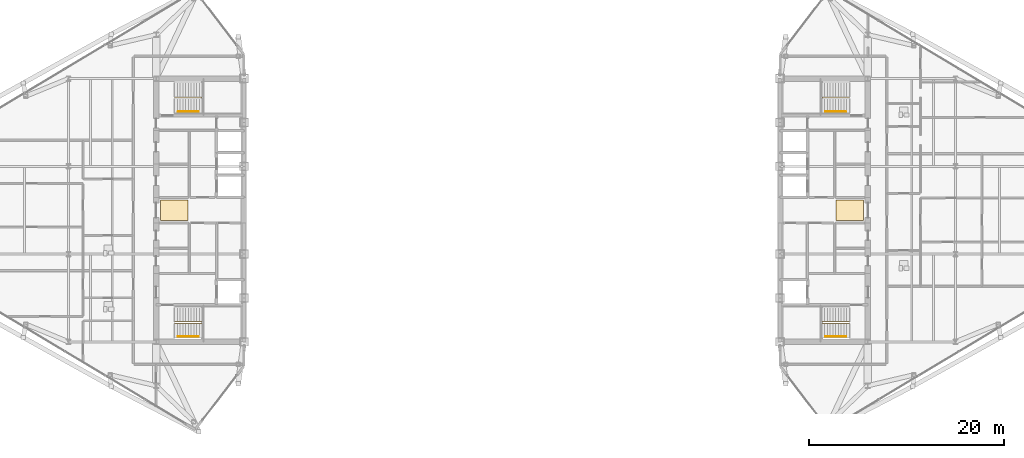
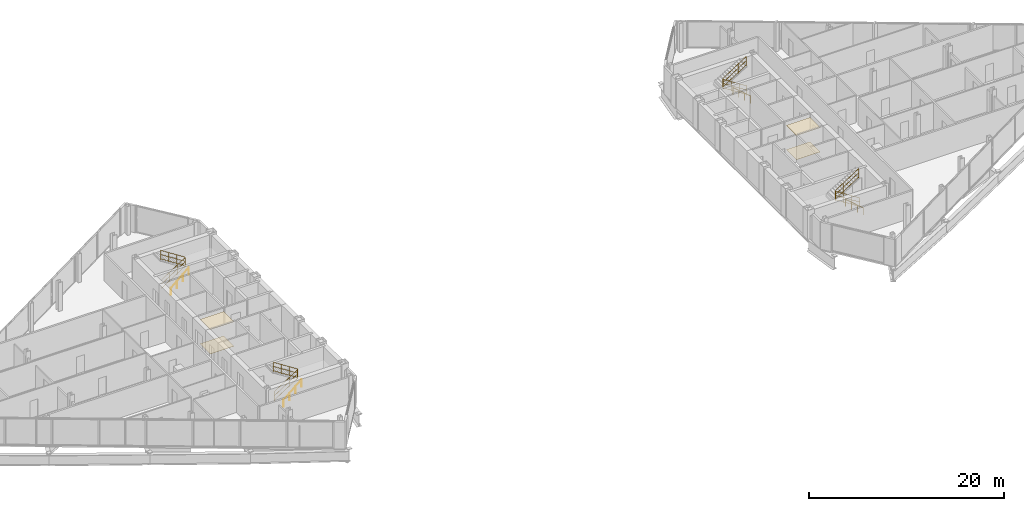
# One storey, part 28 of 29: 8 railings, 4 coverings.
"""IFC4 building model written with IfcOpenShell, lengths in metres."""

from ifc_helpers import new_model, si_unit, direction, frame, origin, origin_2d, place, context, subcontext, project, spatial, polyline, circle, outline, extrude, material, layer, layer_set, type_object, element, save


model = new_model("IFC4")

# Units and contexts
model_context = context("Model", 3, precision=1e-05, world=origin(), true_north=direction((0.0, 1.0)))
body_context = subcontext(model_context, "Body", "Model", "MODEL_VIEW")
ifc_project = project(units=[si_unit("LENGTHUNIT", "METRE"), si_unit("AREAUNIT", "SQUARE_METRE"), si_unit("VOLUMEUNIT", "CUBIC_METRE"), si_unit("PLANEANGLEUNIT", "RADIAN"), si_unit("MASSUNIT", "GRAM", prefix="KILO")], contexts=[model_context])

# Site, building, storey
site_placement = place(None, origin())
site = spatial("IfcSite", under=ifc_project, at=site_placement, CompositionType="ELEMENT")
building_placement = place(site_placement, origin())
building = spatial("IfcBuilding", under=site, at=building_placement, Name="Seokmaru Belvedere", CompositionType="ELEMENT")
storey_placement = place(building_placement, frame((0.0, 0.0, 195.89990234375)))
storey = spatial("IfcBuildingStorey", under=building, at=storey_placement, Name="L52", CompositionType="ELEMENT", Elevation=195.89990234375)

# Coverings
ifc_material_1 = material(Name="Engineered White Oak Timber", Category="wood")
ifc_layer_1 = layer(ifc_material_1, 0.02197265625)
ifc_layer_set_1 = layer_set([ifc_layer_1], Name="Engineered White Oak Timber")
covering_type_1 = type_object("IfcCoveringType", Name="Engineered Oak Residence Floor Finish 22", PredefinedType="FLOORING", material=ifc_layer_set_1)
covering_1_placement = place(storey_placement, origin())
element("IfcCovering", 1, at=covering_1_placement, inside=storey, type_object=covering_type_1, Name="L52 W Foyer Floor Finish", PredefinedType="FLOORING", context=body_context, shape_type="SweptSolid", body=[
    extrude(outline(polyline([(-36.050048828125, -1.050048828125), (-33.25, -1.050048828125), (-33.25, 1.050048828125), (-36.050048828125, 1.050048828125), (-36.050048828125, -1.050048828125)])), origin(), (0.0, 0.0, 1.0), 0.022216796875),
])
covering_2_placement = place(storey_placement, origin())
element("IfcCovering", 2, at=covering_2_placement, inside=storey, type_object=covering_type_1, Name="L52 E Foyer Floor Finish", PredefinedType="FLOORING", context=body_context, shape_type="SweptSolid", body=[
    extrude(outline(polyline([(33.25, -1.050048828125), (36.050048828125, -1.050048828125), (36.050048828125, 1.050048828125), (33.25, 1.050048828125), (33.25, -1.050048828125)])), origin(), (0.0, 0.0, 1.0), 0.022216796875),
])
ifc_material_2 = material(Name="Fire-Rated Gypsum Shaftwall")
ifc_layer_2 = layer(ifc_material_2, 0.02490234375)
ifc_layer_set_2 = layer_set([ifc_layer_2], Name="Fire-Rated Gypsum Shaftwall")
covering_type_2 = type_object("IfcCoveringType", Name="Perforated Acoustic Gypsum Suspended Ceiling 25", PredefinedType="CEILING", material=ifc_layer_set_2)
covering_3_placement = place(storey_placement, frame((0.0, 0.0, 3.030029296875)))
element("IfcCovering", 3, at=covering_3_placement, inside=storey, type_object=covering_type_2, Name="L52 W Lift Foyer Acoustic Ceiling", PredefinedType="CEILING", context=body_context, shape_type="SweptSolid", body=[
    extrude(outline(polyline([(-36.050048828125, -1.050048828125), (-33.25, -1.050048828125), (-33.25, 1.050048828125), (-36.050048828125, 1.050048828125), (-36.050048828125, -1.050048828125)])), origin(), (0.0, 0.0, 1.0), 0.025146484375),
])
covering_4_placement = place(storey_placement, frame((0.0, 0.0, 3.030029296875)))
element("IfcCovering", 4, at=covering_4_placement, inside=storey, type_object=covering_type_2, Name="L52 E Lift Foyer Acoustic Ceiling", PredefinedType="CEILING", context=body_context, shape_type="SweptSolid", body=[
    extrude(outline(polyline([(33.25, -1.050048828125), (36.050048828125, -1.050048828125), (36.050048828125, 1.050048828125), (33.25, 1.050048828125), (33.25, -1.050048828125)])), origin(), (0.0, 0.0, 1.0), 0.025146484375),
])

# Railings
ifc_material_3 = material(Name="Stainless Steel 316", Category="steel")
railing_type_1 = type_object("IfcRailingType", Name="Stainless Steel Wall and Flight Handrail 900", PredefinedType="HANDRAIL", material=ifc_material_3)
for number, where, name in (
    (5, (-34.25, -12.949951171875, 0.0), "L52 Stair ST-W1 Wall Handrail"),
    (6, (-34.25, 10.110107421875, 0.0), "L52 Stair ST-W2 Wall Handrail"),
):
    element("IfcRailing", number, at=place(storey_placement, frame(where)), inside=storey, type_object=railing_type_1, Name=name, PredefinedType="HANDRAIL", context=body_context, shape_type="SweptSolid", body=[
        extrude(circle(Radius=0.02392578125, at=origin_2d()), frame((0.0, 0.0, 0.8759765625), z_axis=(0.759262832861, 0.0, 0.650784104474), x_axis=(0.0, 1.0, 0.0)), (0.0, 0.0, 1.0), 2.765869140625),
        extrude(circle(Radius=0.02099609375, at=origin_2d()), origin(), (0.0, 0.0, 1.0), 0.851806640625),
        extrude(circle(Radius=0.02099609375, at=origin_2d()), frame((0.699951171875, 0.0, 0.60009765625)), (0.0, 0.0, 1.0), 0.851806640625),
        extrude(circle(Radius=0.02099609375, at=origin_2d()), frame((1.400146484375, 0.0, 1.199951171875)), (0.0, 0.0, 1.0), 0.851806640625),
        extrude(circle(Radius=0.02099609375, at=origin_2d()), frame((2.10009765625, 0.0, 1.800048828125)), (0.0, 0.0, 1.0), 0.851806640625),
    ])
for number, where, name in (
    (7, (34.25, -12.949951171875, 0.0), "L52 Stair ST-E1 Wall Handrail"),
    (8, (34.25, 10.110107421875, 0.0), "L52 Stair ST-E2 Wall Handrail"),
):
    element("IfcRailing", number, at=place(storey_placement, frame(where)), inside=storey, type_object=railing_type_1, Name=name, PredefinedType="HANDRAIL", context=body_context, shape_type="SweptSolid", body=[
        extrude(circle(Radius=0.02392578125, at=origin_2d()), frame((0.0, 0.0, 0.8759765625), z_axis=(-0.759262832861, 0.0, 0.650784104474), x_axis=(0.0, -1.0, 0.0)), (0.0, 0.0, 1.0), 2.765869140625),
        extrude(circle(Radius=0.02099609375, at=origin_2d()), origin(), (0.0, 0.0, 1.0), 0.851806640625),
        extrude(circle(Radius=0.02099609375, at=origin_2d()), frame((-0.699951171875, 0.0, 0.60009765625)), (0.0, 0.0, 1.0), 0.851806640625),
        extrude(circle(Radius=0.02099609375, at=origin_2d()), frame((-1.400146484375, 0.0, 1.199951171875)), (0.0, 0.0, 1.0), 0.851806640625),
        extrude(circle(Radius=0.02099609375, at=origin_2d()), frame((-2.10009765625, 0.0, 1.800048828125)), (0.0, 0.0, 1.0), 0.851806640625),
    ])
railing_type_2 = type_object("IfcRailingType", Name="Stair Well and Atrium Steel Guardrail 1200", PredefinedType="GUARDRAIL", material=ifc_material_3)
railing_1_placement = place(storey_placement, frame((-34.60009765625, -11.60009765625, 0.0)))
element("IfcRailing", 9, at=railing_1_placement, inside=storey, type_object=railing_type_2, Name="L52 Stair ST-W1 Inner Well Guardrail", PredefinedType="GUARDRAIL", context=body_context, shape_type="SweptSolid", body=[
    extrude(circle(Radius=0.02392578125, at=origin_2d()), frame((0.0, 0.0, 1.17578125), z_axis=(0.841176092368, 0.0, 0.540761298198), x_axis=(0.0, 1.0, 0.0)), (0.0, 0.0, 1.0), 3.32861328125),
    extrude(circle(Radius=0.02392578125, at=origin_2d()), frame((0.0, 0.0, 0.1201171875), z_axis=(0.841176092368, 0.0, 0.540761298198), x_axis=(0.0, 1.0, 0.0)), (0.0, 0.0, 1.0), 3.32861328125),
    extrude(circle(Radius=0.02392578125, at=origin_2d()), frame((0.0, 0.0, 0.659912109375), z_axis=(0.841176092368, 0.0, 0.540761298198), x_axis=(0.0, 1.0, 0.0)), (0.0, 0.0, 1.0), 3.32861328125),
    extrude(circle(Radius=0.02392578125, at=origin_2d()), frame((2.800048828125, 0.0, 2.97607421875), z_axis=(0.0, 1.0, 0.0), x_axis=(-1.0, 0.0, 0.0)), (0.0, 0.0, 1.0), 0.14013671875),
    extrude(circle(Radius=0.02392578125, at=origin_2d()), frame((2.800048828125, 0.0, 1.920166015625), z_axis=(0.0, 1.0, 0.0), x_axis=(-1.0, 0.0, 0.0)), (0.0, 0.0, 1.0), 0.14013671875),
    extrude(circle(Radius=0.02392578125, at=origin_2d()), frame((2.800048828125, 0.0, 2.4599609375), z_axis=(0.0, 1.0, 0.0), x_axis=(-1.0, 0.0, 0.0)), (0.0, 0.0, 1.0), 0.14013671875),
    extrude(circle(Radius=0.02392578125, at=origin_2d()), frame((2.800048828125, 0.14013671875, 2.97607421875), z_axis=(-0.841176092368, 0.0, 0.540761298198), x_axis=(0.0, -1.0, 0.0)), (0.0, 0.0, 1.0), 3.32861328125),
    extrude(circle(Radius=0.02392578125, at=origin_2d()), frame((2.800048828125, 0.14013671875, 1.920166015625), z_axis=(-0.841176092368, 0.0, 0.540761298198), x_axis=(0.0, -1.0, 0.0)), (0.0, 0.0, 1.0), 3.32861328125),
    extrude(circle(Radius=0.02392578125, at=origin_2d()), frame((2.800048828125, 0.14013671875, 2.4599609375), z_axis=(-0.841176092368, 0.0, 0.540761298198), x_axis=(0.0, -1.0, 0.0)), (0.0, 0.0, 1.0), 3.32861328125),
    extrude(circle(Radius=0.02099609375, at=origin_2d()), origin(), (0.0, 0.0, 1.0), 1.15185546875),
    extrude(circle(Radius=0.02099609375, at=origin_2d()), frame((0.933349609375, 0.0, 0.60009765625)), (0.0, 0.0, 1.0), 1.15185546875),
    extrude(circle(Radius=0.02099609375, at=origin_2d()), frame((1.86669921875, 0.0, 1.199951171875)), (0.0, 0.0, 1.0), 1.15185546875),
    extrude(circle(Radius=0.02099609375, at=origin_2d()), frame((2.800048828125, 0.0, 1.800048828125)), (0.0, 0.0, 1.0), 1.15185546875),
    extrude(circle(Radius=0.02099609375, at=origin_2d()), frame((2.800048828125, 0.14013671875, 1.800048828125)), (0.0, 0.0, 1.0), 1.15185546875),
    extrude(circle(Radius=0.02099609375, at=origin_2d()), frame((1.86669921875, 0.14013671875, 2.400146484375)), (0.0, 0.0, 1.0), 1.15185546875),
    extrude(circle(Radius=0.02099609375, at=origin_2d()), frame((0.933349609375, 0.14013671875, 3.0)), (0.0, 0.0, 1.0), 1.15185546875),
    extrude(circle(Radius=0.02099609375, at=origin_2d()), frame((0.0, 0.14013671875, 3.60009765625)), (0.0, 0.0, 1.0), 1.15185546875),
])
railing_2_placement = place(storey_placement, frame((-34.60009765625, 11.4599609375, 0.0)))
element("IfcRailing", 10, at=railing_2_placement, inside=storey, type_object=railing_type_2, Name="L52 Stair ST-W2 Inner Well Guardrail", PredefinedType="GUARDRAIL", context=body_context, shape_type="SweptSolid", body=[
    extrude(circle(Radius=0.02392578125, at=origin_2d()), frame((0.0, 0.0, 1.17578125), z_axis=(0.841176092368, 0.0, 0.540761298198), x_axis=(0.0, 1.0, 0.0)), (0.0, 0.0, 1.0), 3.32861328125),
    extrude(circle(Radius=0.02392578125, at=origin_2d()), frame((0.0, 0.0, 0.1201171875), z_axis=(0.841176092368, 0.0, 0.540761298198), x_axis=(0.0, 1.0, 0.0)), (0.0, 0.0, 1.0), 3.32861328125),
    extrude(circle(Radius=0.02392578125, at=origin_2d()), frame((0.0, 0.0, 0.659912109375), z_axis=(0.841176092368, 0.0, 0.540761298198), x_axis=(0.0, 1.0, 0.0)), (0.0, 0.0, 1.0), 3.32861328125),
    extrude(circle(Radius=0.02392578125, at=origin_2d()), frame((2.800048828125, 0.0, 2.97607421875), z_axis=(0.0, 1.0, 0.0), x_axis=(-1.0, 0.0, 0.0)), (0.0, 0.0, 1.0), 0.14013671875),
    extrude(circle(Radius=0.02392578125, at=origin_2d()), frame((2.800048828125, 0.0, 1.920166015625), z_axis=(0.0, 1.0, 0.0), x_axis=(-1.0, 0.0, 0.0)), (0.0, 0.0, 1.0), 0.14013671875),
    extrude(circle(Radius=0.02392578125, at=origin_2d()), frame((2.800048828125, 0.0, 2.4599609375), z_axis=(0.0, 1.0, 0.0), x_axis=(-1.0, 0.0, 0.0)), (0.0, 0.0, 1.0), 0.14013671875),
    extrude(circle(Radius=0.02392578125, at=origin_2d()), frame((2.800048828125, 0.14013671875, 2.97607421875), z_axis=(-0.841176092368, 0.0, 0.540761298198), x_axis=(0.0, -1.0, 0.0)), (0.0, 0.0, 1.0), 3.32861328125),
    extrude(circle(Radius=0.02392578125, at=origin_2d()), frame((2.800048828125, 0.14013671875, 1.920166015625), z_axis=(-0.841176092368, 0.0, 0.540761298198), x_axis=(0.0, -1.0, 0.0)), (0.0, 0.0, 1.0), 3.32861328125),
    extrude(circle(Radius=0.02392578125, at=origin_2d()), frame((2.800048828125, 0.14013671875, 2.4599609375), z_axis=(-0.841176092368, 0.0, 0.540761298198), x_axis=(0.0, -1.0, 0.0)), (0.0, 0.0, 1.0), 3.32861328125),
    extrude(circle(Radius=0.02099609375, at=origin_2d()), origin(), (0.0, 0.0, 1.0), 1.15185546875),
    extrude(circle(Radius=0.02099609375, at=origin_2d()), frame((0.933349609375, 0.0, 0.60009765625)), (0.0, 0.0, 1.0), 1.15185546875),
    extrude(circle(Radius=0.02099609375, at=origin_2d()), frame((1.86669921875, 0.0, 1.199951171875)), (0.0, 0.0, 1.0), 1.15185546875),
    extrude(circle(Radius=0.02099609375, at=origin_2d()), frame((2.800048828125, 0.0, 1.800048828125)), (0.0, 0.0, 1.0), 1.15185546875),
    extrude(circle(Radius=0.02099609375, at=origin_2d()), frame((2.800048828125, 0.14013671875, 1.800048828125)), (0.0, 0.0, 1.0), 1.15185546875),
    extrude(circle(Radius=0.02099609375, at=origin_2d()), frame((1.86669921875, 0.14013671875, 2.400146484375)), (0.0, 0.0, 1.0), 1.15185546875),
    extrude(circle(Radius=0.02099609375, at=origin_2d()), frame((0.933349609375, 0.14013671875, 3.0)), (0.0, 0.0, 1.0), 1.15185546875),
    extrude(circle(Radius=0.02099609375, at=origin_2d()), frame((0.0, 0.14013671875, 3.60009765625)), (0.0, 0.0, 1.0), 1.15185546875),
])
railing_3_placement = place(storey_placement, frame((34.60009765625, -11.60009765625, 0.0)))
element("IfcRailing", 11, at=railing_3_placement, inside=storey, type_object=railing_type_2, Name="L52 Stair ST-E1 Inner Well Guardrail", PredefinedType="GUARDRAIL", context=body_context, shape_type="SweptSolid", body=[
    extrude(circle(Radius=0.02392578125, at=origin_2d()), frame((0.0, 0.0, 1.17578125), z_axis=(-0.841176092368, 0.0, 0.540761298198), x_axis=(0.0, -1.0, 0.0)), (0.0, 0.0, 1.0), 3.32861328125),
    extrude(circle(Radius=0.02392578125, at=origin_2d()), frame((0.0, 0.0, 0.1201171875), z_axis=(-0.841176092368, 0.0, 0.540761298198), x_axis=(0.0, -1.0, 0.0)), (0.0, 0.0, 1.0), 3.32861328125),
    extrude(circle(Radius=0.02392578125, at=origin_2d()), frame((0.0, 0.0, 0.659912109375), z_axis=(-0.841176092368, 0.0, 0.540761298198), x_axis=(0.0, -1.0, 0.0)), (0.0, 0.0, 1.0), 3.32861328125),
    extrude(circle(Radius=0.02392578125, at=origin_2d()), frame((-2.800048828125, 0.0, 2.97607421875), z_axis=(0.0, 1.0, 0.0), x_axis=(-1.0, 0.0, 0.0)), (0.0, 0.0, 1.0), 0.14013671875),
    extrude(circle(Radius=0.02392578125, at=origin_2d()), frame((-2.800048828125, 0.0, 1.920166015625), z_axis=(0.0, 1.0, 0.0), x_axis=(-1.0, 0.0, 0.0)), (0.0, 0.0, 1.0), 0.14013671875),
    extrude(circle(Radius=0.02392578125, at=origin_2d()), frame((-2.800048828125, 0.0, 2.4599609375), z_axis=(0.0, 1.0, 0.0), x_axis=(-1.0, 0.0, 0.0)), (0.0, 0.0, 1.0), 0.14013671875),
    extrude(circle(Radius=0.02392578125, at=origin_2d()), frame((-2.800048828125, 0.14013671875, 2.97607421875), z_axis=(0.841176092368, 0.0, 0.540761298198), x_axis=(0.0, 1.0, 0.0)), (0.0, 0.0, 1.0), 3.32861328125),
    extrude(circle(Radius=0.02392578125, at=origin_2d()), frame((-2.800048828125, 0.14013671875, 1.920166015625), z_axis=(0.841176092368, 0.0, 0.540761298198), x_axis=(0.0, 1.0, 0.0)), (0.0, 0.0, 1.0), 3.32861328125),
    extrude(circle(Radius=0.02392578125, at=origin_2d()), frame((-2.800048828125, 0.14013671875, 2.4599609375), z_axis=(0.841176092368, 0.0, 0.540761298198), x_axis=(0.0, 1.0, 0.0)), (0.0, 0.0, 1.0), 3.32861328125),
    extrude(circle(Radius=0.02099609375, at=origin_2d()), origin(), (0.0, 0.0, 1.0), 1.15185546875),
    extrude(circle(Radius=0.02099609375, at=origin_2d()), frame((-0.933349609375, 0.0, 0.60009765625)), (0.0, 0.0, 1.0), 1.15185546875),
    extrude(circle(Radius=0.02099609375, at=origin_2d()), frame((-1.86669921875, 0.0, 1.199951171875)), (0.0, 0.0, 1.0), 1.15185546875),
    extrude(circle(Radius=0.02099609375, at=origin_2d()), frame((-2.800048828125, 0.0, 1.800048828125)), (0.0, 0.0, 1.0), 1.15185546875),
    extrude(circle(Radius=0.02099609375, at=origin_2d()), frame((-2.800048828125, 0.14013671875, 1.800048828125)), (0.0, 0.0, 1.0), 1.15185546875),
    extrude(circle(Radius=0.02099609375, at=origin_2d()), frame((-1.86669921875, 0.14013671875, 2.400146484375)), (0.0, 0.0, 1.0), 1.15185546875),
    extrude(circle(Radius=0.02099609375, at=origin_2d()), frame((-0.933349609375, 0.14013671875, 3.0)), (0.0, 0.0, 1.0), 1.15185546875),
    extrude(circle(Radius=0.02099609375, at=origin_2d()), frame((0.0, 0.14013671875, 3.60009765625)), (0.0, 0.0, 1.0), 1.15185546875),
])
railing_4_placement = place(storey_placement, frame((34.60009765625, 11.4599609375, 0.0)))
element("IfcRailing", 12, at=railing_4_placement, inside=storey, type_object=railing_type_2, Name="L52 Stair ST-E2 Inner Well Guardrail", PredefinedType="GUARDRAIL", context=body_context, shape_type="SweptSolid", body=[
    extrude(circle(Radius=0.02392578125, at=origin_2d()), frame((0.0, 0.0, 1.17578125), z_axis=(-0.841176092368, 0.0, 0.540761298198), x_axis=(0.0, -1.0, 0.0)), (0.0, 0.0, 1.0), 3.32861328125),
    extrude(circle(Radius=0.02392578125, at=origin_2d()), frame((0.0, 0.0, 0.1201171875), z_axis=(-0.841176092368, 0.0, 0.540761298198), x_axis=(0.0, -1.0, 0.0)), (0.0, 0.0, 1.0), 3.32861328125),
    extrude(circle(Radius=0.02392578125, at=origin_2d()), frame((0.0, 0.0, 0.659912109375), z_axis=(-0.841176092368, 0.0, 0.540761298198), x_axis=(0.0, -1.0, 0.0)), (0.0, 0.0, 1.0), 3.32861328125),
    extrude(circle(Radius=0.02392578125, at=origin_2d()), frame((-2.800048828125, 0.0, 2.97607421875), z_axis=(0.0, 1.0, 0.0), x_axis=(-1.0, 0.0, 0.0)), (0.0, 0.0, 1.0), 0.14013671875),
    extrude(circle(Radius=0.02392578125, at=origin_2d()), frame((-2.800048828125, 0.0, 1.920166015625), z_axis=(0.0, 1.0, 0.0), x_axis=(-1.0, 0.0, 0.0)), (0.0, 0.0, 1.0), 0.14013671875),
    extrude(circle(Radius=0.02392578125, at=origin_2d()), frame((-2.800048828125, 0.0, 2.4599609375), z_axis=(0.0, 1.0, 0.0), x_axis=(-1.0, 0.0, 0.0)), (0.0, 0.0, 1.0), 0.14013671875),
    extrude(circle(Radius=0.02392578125, at=origin_2d()), frame((-2.800048828125, 0.14013671875, 2.97607421875), z_axis=(0.841176092368, 0.0, 0.540761298198), x_axis=(0.0, 1.0, 0.0)), (0.0, 0.0, 1.0), 3.32861328125),
    extrude(circle(Radius=0.02392578125, at=origin_2d()), frame((-2.800048828125, 0.14013671875, 1.920166015625), z_axis=(0.841176092368, 0.0, 0.540761298198), x_axis=(0.0, 1.0, 0.0)), (0.0, 0.0, 1.0), 3.32861328125),
    extrude(circle(Radius=0.02392578125, at=origin_2d()), frame((-2.800048828125, 0.14013671875, 2.4599609375), z_axis=(0.841176092368, 0.0, 0.540761298198), x_axis=(0.0, 1.0, 0.0)), (0.0, 0.0, 1.0), 3.32861328125),
    extrude(circle(Radius=0.02099609375, at=origin_2d()), origin(), (0.0, 0.0, 1.0), 1.15185546875),
    extrude(circle(Radius=0.02099609375, at=origin_2d()), frame((-0.933349609375, 0.0, 0.60009765625)), (0.0, 0.0, 1.0), 1.15185546875),
    extrude(circle(Radius=0.02099609375, at=origin_2d()), frame((-1.86669921875, 0.0, 1.199951171875)), (0.0, 0.0, 1.0), 1.15185546875),
    extrude(circle(Radius=0.02099609375, at=origin_2d()), frame((-2.800048828125, 0.0, 1.800048828125)), (0.0, 0.0, 1.0), 1.15185546875),
    extrude(circle(Radius=0.02099609375, at=origin_2d()), frame((-2.800048828125, 0.14013671875, 1.800048828125)), (0.0, 0.0, 1.0), 1.15185546875),
    extrude(circle(Radius=0.02099609375, at=origin_2d()), frame((-1.86669921875, 0.14013671875, 2.400146484375)), (0.0, 0.0, 1.0), 1.15185546875),
    extrude(circle(Radius=0.02099609375, at=origin_2d()), frame((-0.933349609375, 0.14013671875, 3.0)), (0.0, 0.0, 1.0), 1.15185546875),
    extrude(circle(Radius=0.02099609375, at=origin_2d()), frame((0.0, 0.14013671875, 3.60009765625)), (0.0, 0.0, 1.0), 1.15185546875),
])

save(model, "model.ifc")
